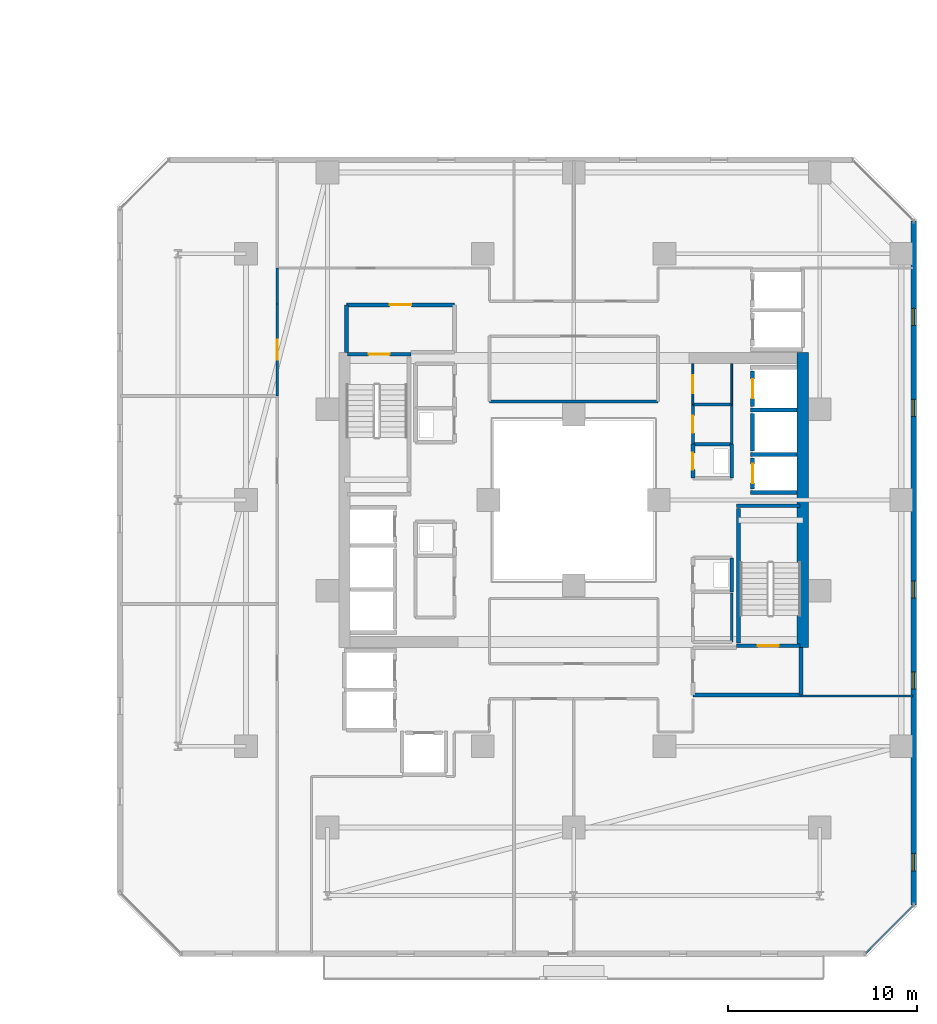
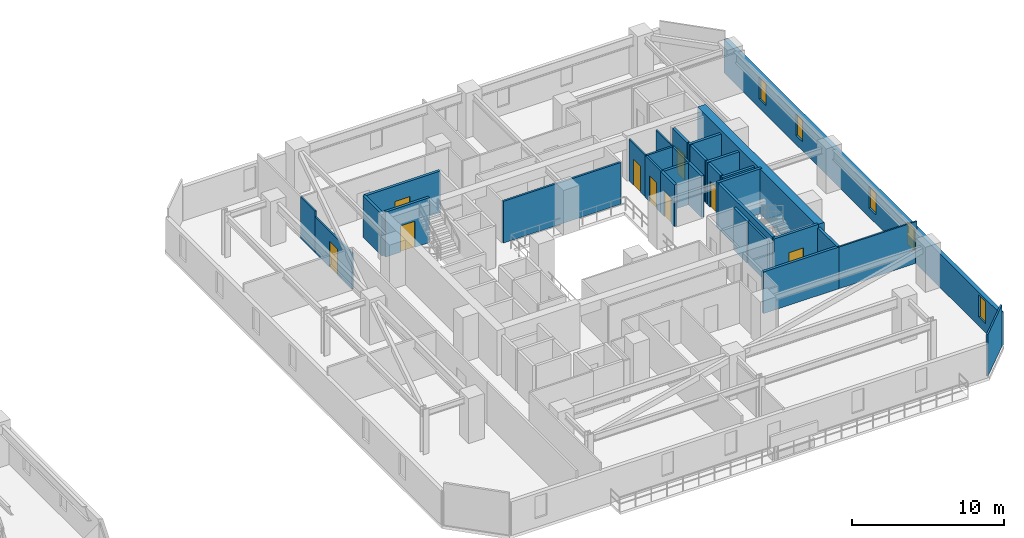
# One storey, part 25 of 33: 31 walls, 9 doors, 5 windows, 14 openings.
"""IFC4 building model written with IfcOpenShell, lengths in metres."""

import ifcopenshell
import ifcopenshell.guid

model = None  # the IFC model being written
_history = None  # IfcOwnerHistory: only IFC2X3 demands one
_inside = {}  # id of a spatial element -> (the spatial element, [elements in it])
_under = {}  # id of a project, library or spatial element -> (it, [spatial elements below it])
_declared = {}  # id of a project -> (the project, [libraries it declares])
_typed = {}  # id of a type object -> (the type object, [elements of that type])
_made_of = {}  # id of a material, layer set ... -> (it, [elements and type objects made of it])


def new_model(schema):
    """Start an empty IFC model of exactly this schema.

    Asked for "IFC4X3", IfcOpenShell would pick the latest addendum, in which some entities
    have other attributes; the version numbers below select the first issue.
    IFC2X3 requires an IfcOwnerHistory on every rooted entity: one is made here for all.
    """
    global model, _history
    if schema == "IFC4X3":
        model = ifcopenshell.file(schema_version=(4, 3, 0, 0))
    else:
        model = ifcopenshell.file(schema=schema)
    _inside.clear()
    _under.clear()
    _declared.clear()
    _typed.clear()
    _made_of.clear()
    _history = None
    if model.schema == "IFC2X3":
        org = make("IfcOrganization", Name="unknown")
        user = make(
            "IfcPersonAndOrganization",
            ThePerson=make("IfcPerson", FamilyName="unknown"),
            TheOrganization=org,
        )
        app = make(
            "IfcApplication",
            ApplicationDeveloper=org,
            Version="unknown",
            ApplicationFullName="unknown",
            ApplicationIdentifier="unknown",
        )
        _history = make(
            "IfcOwnerHistory",
            OwningUser=user,
            OwningApplication=app,
            ChangeAction="ADDED",
            CreationDate=0,
        )
    return model


def make(cls, **values):
    """One entity of the class cls with the attributes given. An attribute that is None is left unset."""
    return model.create_entity(
        cls, **{name: value for name, value in values.items() if value is not None}
    )


def rooted(cls, **values):
    """An entity with a GlobalId (a new one), such as an element, a storey or a relation."""
    return make(cls, GlobalId=ifcopenshell.guid.new(), OwnerHistory=_history, **values)


def si_unit(unit_type, name, prefix=None):
    """IfcSIUnit, for example si_unit("LENGTHUNIT", "METRE", prefix="MILLI")."""
    return make("IfcSIUnit", UnitType=unit_type, Prefix=prefix, Name=name)


def assignment(units):
    """IfcUnitAssignment: the units of a project."""
    return None if units is None else make("IfcUnitAssignment", Units=units)


def point(xyz):
    """IfcCartesianPoint."""
    return None if xyz is None else make("IfcCartesianPoint", Coordinates=xyz)


def direction(xyz):
    """IfcDirection."""
    return None if xyz is None else make("IfcDirection", DirectionRatios=xyz)


def frame(location, z_axis=None, x_axis=None):
    """IfcAxis2Placement3D, a coordinate frame: its origin and axes. An axis left out is left unset."""
    return make(
        "IfcAxis2Placement3D",
        Location=point(location),
        Axis=direction(z_axis),
        RefDirection=direction(x_axis),
    )


def frame_2d(location, x_axis=None):
    """IfcAxis2Placement2D, a coordinate frame in the plane: its origin and x axis."""
    return make(
        "IfcAxis2Placement2D", Location=point(location), RefDirection=direction(x_axis)
    )


def origin():
    """The frame at (0, 0, 0) with its axes left unset."""
    return frame((0.0, 0.0, 0.0))


def place(relative_to, where):
    """IfcLocalPlacement: puts the frame where relative to a parent placement (None: the world)."""
    return make(
        "IfcLocalPlacement", PlacementRelTo=relative_to, RelativePlacement=where
    )


def context(
    kind, dimensions, precision=None, world=None, true_north=None, identifier=None
):
    """IfcGeometricRepresentationContext, for example the 3D "Model" context."""
    return make(
        "IfcGeometricRepresentationContext",
        ContextIdentifier=identifier,
        ContextType=kind,
        CoordinateSpaceDimension=dimensions,
        Precision=precision,
        WorldCoordinateSystem=world,
        TrueNorth=true_north,
    )


def subcontext(parent, identifier, kind, view, scale=None):
    """IfcGeometricRepresentationSubContext, for example "Body" below "Model"."""
    return make(
        "IfcGeometricRepresentationSubContext",
        ContextIdentifier=identifier,
        ContextType=kind,
        ParentContext=parent,
        TargetScale=scale,
        TargetView=view,
    )


def project(units=None, contexts=None):
    """IfcProject with its units and contexts."""
    return rooted(
        "IfcProject",
        Name="project",
        RepresentationContexts=contexts,
        UnitsInContext=assignment(units),
    )


def spatial(cls, under=None, at=None, **own):
    """A site, building, storey or space (cls), placed at a placement, below another one or the project."""
    s = rooted(cls, ObjectPlacement=at, **own)
    if under is not None:
        _under.setdefault(under.id(), (under, []))[1].append(s)
    return s


def profile(cls, at=None, kind="AREA", **sizes):
    """A parametric profile (cls). Its sizes go by their IFC names, for example OverallWidth=200.0."""
    return make(cls, ProfileType=kind, Position=at, **sizes)


def rectangle(**sizes):
    """IfcRectangleProfileDef."""
    return profile("IfcRectangleProfileDef", **sizes)


def extrude(swept, where, along, depth):
    """IfcExtrudedAreaSolid: the profile swept, set in the frame where, extruded along a direction by depth."""
    return make(
        "IfcExtrudedAreaSolid",
        SweptArea=swept,
        Position=where,
        ExtrudedDirection=direction(along),
        Depth=depth,
    )


def shape(context_of_items, identifier, shape_type, items):
    """IfcShapeRepresentation: the items that make up one representation, for example the "Body"."""
    return make(
        "IfcShapeRepresentation",
        ContextOfItems=context_of_items,
        RepresentationIdentifier=identifier,
        RepresentationType=shape_type,
        Items=items,
    )


def material(Name=None, Category=None):
    """IfcMaterial."""
    return make("IfcMaterial", Name=Name, Category=Category)


def layer(
    of_material, thickness, ventilated=None, Name=None, Category=None, Priority=None
):
    """IfcMaterialLayer: one layer of a wall or slab, of a material (None: an air gap)."""
    return make(
        "IfcMaterialLayer",
        Material=of_material,
        LayerThickness=thickness,
        IsVentilated=ventilated,
        Name=Name,
        Category=Category,
        Priority=Priority,
    )


def layer_set(layers, Name=None):
    """IfcMaterialLayerSet."""
    return make("IfcMaterialLayerSet", MaterialLayers=layers, LayerSetName=Name)


def made_of(thing, what):
    """Note that an element or type object is made of a material, layer set ...; save() writes the relation."""
    if what is not None:
        _made_of.setdefault(what.id(), (what, []))[1].append(thing)
    return thing


def type_object(cls, material=None, **own):
    """A type object (cls), such as IfcWallType, which elements share."""
    return made_of(rooted(cls, **own), material)


def element(
    cls,
    number,
    at=None,
    inside=None,
    cuts=None,
    type_object=None,
    material=None,
    context=None,
    identifier="Body",
    shape_type=None,
    held_by="IfcProductDefinitionShape",
    body=None,
    shapes=None,
    **own,
):
    """One element of the class cls, such as IfcWall. Its Tag is "e" and its number.

    at: its placement. inside: the storey or other place that contains it. cuts: it is an
    opening in that element (IfcRelVoidsElement). A single representation is given by context,
    identifier, shape_type and body (its items); several are given by shapes. held_by: the class
    of the entity that holds the representations. save() writes the other relations.
    """
    e = rooted(cls, Tag="e%d" % number, ObjectPlacement=at, **own)
    if body is not None:
        shapes = [shape(context, identifier, shape_type, body)]
    if shapes is not None:
        e.Representation = make(held_by, Representations=shapes)
    if inside is not None:
        _inside.setdefault(inside.id(), (inside, []))[1].append(e)
    if cuts is not None:
        rooted(
            "IfcRelVoidsElement", RelatingBuildingElement=cuts, RelatedOpeningElement=e
        )
    if type_object is not None:
        _typed.setdefault(type_object.id(), (type_object, []))[1].append(e)
    return made_of(e, material)


def fill(opening, filler):
    """IfcRelFillsElement: the door or window that sits in an opening."""
    return rooted(
        "IfcRelFillsElement",
        RelatingOpeningElement=opening,
        RelatedBuildingElement=filler,
    )


def aggregate(whole, parts):
    """IfcRelAggregates: a whole, such as a stair, and the parts it consists of."""
    return rooted("IfcRelAggregates", RelatingObject=whole, RelatedObjects=parts)


def save(model, path):
    """Write the relations noted so far, then the file.

    IfcRelAggregates (storeys below a building ...), IfcRelContainedInSpatialStructure (elements
    in a storey), IfcRelDefinesByType, IfcRelAssociatesMaterial and IfcRelDeclares: one each for
    every whole, place, type object, material and project.
    """
    for whole, parts in _under.values():
        aggregate(whole, parts)
    for where, things in _inside.values():
        rooted(
            "IfcRelContainedInSpatialStructure",
            RelatedElements=things,
            RelatingStructure=where,
        )
    for kind, things in _typed.values():
        rooted("IfcRelDefinesByType", RelatedObjects=things, RelatingType=kind)
    for what, things in _made_of.values():
        rooted("IfcRelAssociatesMaterial", RelatedObjects=things, RelatingMaterial=what)
    for by, libraries in _declared.values():
        rooted("IfcRelDeclares", RelatingContext=by, RelatedDefinitions=libraries)
    model.write(path)


model = new_model("IFC4")

# Units and contexts
model_context = context("Model", 3, precision=1e-05, world=origin(), true_north=direction((0.0, 1.0)))
body_context = subcontext(model_context, "Body", "Model", "MODEL_VIEW")
ifc_project = project(units=[si_unit("LENGTHUNIT", "METRE"), si_unit("AREAUNIT", "SQUARE_METRE"), si_unit("VOLUMEUNIT", "CUBIC_METRE"), si_unit("PLANEANGLEUNIT", "RADIAN"), si_unit("MASSUNIT", "GRAM", prefix="KILO")], contexts=[model_context])

# Site, building, storey
site_placement = place(None, origin())
site = spatial("IfcSite", under=ifc_project, at=site_placement, CompositionType="ELEMENT")
building_placement = place(site_placement, origin())
building = spatial("IfcBuilding", under=site, at=building_placement, Name="Thornwick Lancets Civic Towers", CompositionType="ELEMENT")
storey_placement = place(building_placement, frame((0.0, 0.0, 108.89990234375)))
storey = spatial("IfcBuildingStorey", under=building, at=storey_placement, Name="L28", CompositionType="ELEMENT", Elevation=108.89990234375)

# Wall, opening, door
ifc_material_1 = material(Name="Concrete blockwork C40/50", Category="masonry")
ifc_layer_1 = layer(ifc_material_1, 0.199951171875, Name="Concrete blockwork C40/50")
ifc_layer_set_1 = layer_set([ifc_layer_1], Name="Concrete blockwork C40/50")
wall_type_1 = type_object("IfcWallType", Name="WALL_COMP_200", PredefinedType="STANDARD", material=ifc_layer_set_1)
wall_1_placement = place(storey_placement, frame((97.949951171875, 29.219970703125, 0.0), z_axis=(0.0, 0.0, 1.0), x_axis=(0.0, -1.0, 0.0)))
wall_1 = element("IfcWall", 1, at=wall_1_placement, inside=storey, type_object=wall_type_1, Name="L28 Hoistway Front Wall FL-B1", PredefinedType="STANDARD", context=body_context, shape_type="SweptSolid", body=[
    extrude(rectangle(XDim=1.639892578125, YDim=0.199951171875, at=frame_2d((0.81982421875, 0.0))), origin(), (0.0, 0.0, 1.0), 3.340087890625),
])
opening_1_placement = place(wall_1_placement, frame((0.31005859375, 0.0, 0.0)))
opening_1 = element("IfcOpeningElement", 2, at=opening_1_placement, cuts=wall_1, Name="Opening LD-FL-B1", PredefinedType="OPENING", context=body_context, shape_type="SweptSolid", body=[
    extrude(rectangle(XDim=1.02001953125, YDim=2.06005859375, at=frame_2d((0.510009765625, 1.030029296875))), frame((0.0, 0.10986328125, 0.0), z_axis=(0.0, -1.0, 0.0), x_axis=(1.0, 0.0, 0.0)), (0.0, 0.0, 1.0), 0.219970703125),
])
ifc_material_2 = material(Name="Brushed bronze stainless steel", Category="steel")
door_type_1 = type_object("IfcDoorType", Name="DOOR_LIFT_SLIDE", OperationType="SLIDING_TO_LEFT", PredefinedType="DOOR", material=ifc_material_2)
door_1_placement = place(opening_1_placement, origin())
door_1 = element("IfcDoor", 3, at=door_1_placement, inside=storey, type_object=door_type_1, Name="L28 Sliding Lift Landing Door LD-FL-B1", OperationType="SLIDING_TO_LEFT", OverallHeight=2.06005859375, OverallWidth=1.02001953125, PredefinedType="DOOR", context=body_context, shape_type="SweptSolid", body=[
    extrude(rectangle(XDim=1.02001953125, YDim=2.06005859375, at=frame_2d((0.510009765625, 1.030029296875))), frame((0.0, 0.02490234375, 0.0), z_axis=(0.0, -1.0, 0.0), x_axis=(1.0, 0.0, 0.0)), (0.0, 0.0, 1.0), 0.050048828125),
])
fill(opening_1, door_1)

# Wall
wall_2_placement = place(storey_placement, frame((97.949951171875, 31.570068359375, 0.0), z_axis=(0.0, 0.0, 1.0), x_axis=(0.0, -1.0, 0.0)))
element("IfcWall", 4, at=wall_2_placement, inside=storey, type_object=wall_type_1, Name="L28 Hoistway Front Wall PL-BH1", PredefinedType="STANDARD", context=body_context, shape_type="SweptSolid", body=[
    extrude(rectangle(XDim=1.989990234375, YDim=0.199951171875, at=frame_2d((0.9951171875, 0.0))), origin(), (0.0, 0.0, 1.0), 3.340087890625),
])

# Wall, opening, door
wall_3_placement = place(storey_placement, frame((97.949951171875, 33.820068359375, 0.0), z_axis=(0.0, 0.0, 1.0), x_axis=(0.0, -1.0, 0.0)))
wall_3 = element("IfcWall", 5, at=wall_3_placement, inside=storey, type_object=wall_type_1, Name="L28 Hoistway Front Wall PL-BL1", PredefinedType="STANDARD", context=body_context, shape_type="SweptSolid", body=[
    extrude(rectangle(XDim=1.89013671875, YDim=0.199951171875, at=frame_2d((0.945068359375, 0.0))), origin(), (0.0, 0.0, 1.0), 3.340087890625),
])
opening_2_placement = place(wall_3_placement, frame((0.43505859375, 0.0, 0.0)))
opening_2 = element("IfcOpeningElement", 6, at=opening_2_placement, cuts=wall_3, Name="Opening LD-PL-BL1", PredefinedType="OPENING", context=body_context, shape_type="SweptSolid", body=[
    extrude(rectangle(XDim=1.02001953125, YDim=2.06005859375, at=frame_2d((0.510009765625, 1.030029296875))), frame((0.0, 0.10986328125, 0.0), z_axis=(0.0, -1.0, 0.0), x_axis=(1.0, 0.0, 0.0)), (0.0, 0.0, 1.0), 0.219970703125),
])
door_2_placement = place(opening_2_placement, origin())
door_2 = element("IfcDoor", 7, at=door_2_placement, inside=storey, type_object=door_type_1, Name="L28 Sliding Lift Landing Door LD-PL-BL1", OperationType="SLIDING_TO_LEFT", OverallHeight=2.06005859375, OverallWidth=1.02001953125, PredefinedType="DOOR", context=body_context, shape_type="SweptSolid", body=[
    extrude(rectangle(XDim=1.02001953125, YDim=2.06005859375, at=frame_2d((0.510009765625, 1.030029296875))), frame((0.0, 0.02490234375, 0.0), z_axis=(0.0, -1.0, 0.0), x_axis=(1.0, 0.0, 0.0)), (0.0, 0.0, 1.0), 0.050048828125),
])
fill(opening_2, door_2)

# Walls
for number, where, z_axis, x_axis, name in (
    (8, (97.85205078125, 29.39990234375, 0.0), (0.0, 0.0, 1.0), (1.0, 0.0, 0.0), "L28 Hoistway Shaft Wall FL-B1 N"),
    (9, (97.85205078125, 27.39990234375, 0.0), (0.0, 0.0, 1.0), (1.0, 0.0, 0.0), "L28 Hoistway Shaft Wall FL-B1 S"),
    (10, (97.85205078125, 31.75, 0.0), (0.0, 0.0, 1.0), (1.0, 0.0, 0.0), "L28 Hoistway Shaft Wall PL-BH1 N"),
):
    element("IfcWall", number, at=place(storey_placement, frame(where, z_axis=z_axis, x_axis=x_axis)), inside=storey, type_object=wall_type_1, Name=name, PredefinedType="STANDARD", context=body_context, shape_type="SweptSolid", body=[
        extrude(rectangle(XDim=2.43603515625, YDim=0.199951171875, at=frame_2d((1.218017578125, 0.0))), origin(), (0.0, 0.0, 1.0), 3.340087890625),
    ])
wall_4_placement = place(storey_placement, frame((94.800048828125, 16.699951171875, 0.0), z_axis=(0.0, 0.0, 1.0), x_axis=(1.0, 0.0, 0.0)))
element("IfcWall", 11, at=wall_4_placement, inside=storey, type_object=wall_type_1, Name="L28 Partition L28-B-FFLOB1 E1", PredefinedType="STANDARD", context=body_context, shape_type="SweptSolid", body=[
    extrude(rectangle(XDim=5.699951171875, YDim=0.199951171875, at=frame_2d((2.85009765625, 0.0))), origin(), (0.0, 0.0, 1.0), 3.340087890625),
])
wall_5_placement = place(storey_placement, frame((100.5, 16.699951171875, 0.0), z_axis=(0.0, 0.0, 1.0), x_axis=(0.0, 1.0, 0.0)))
element("IfcWall", 12, at=wall_5_placement, inside=storey, type_object=wall_type_1, Name="L28 Partition L28-B-FFLOB1 E2", PredefinedType="STANDARD", context=body_context, shape_type="SweptSolid", body=[
    extrude(rectangle(XDim=2.5, YDim=0.199951171875, at=frame_2d((1.25, 0.0))), origin(), (0.0, 0.0, 1.0), 3.340087890625),
])

# Wall, opening, door
wall_6_placement = place(storey_placement, frame((82.199951171875, 37.300048828125, 0.0), z_axis=(0.0, 0.0, 1.0), x_axis=(-1.0, 0.0, 0.0)))
wall_6 = element("IfcWall", 13, at=wall_6_placement, inside=storey, type_object=wall_type_1, Name="L28 Partition L28-B-FFLOB2 E3", PredefinedType="STANDARD", context=body_context, shape_type="SweptSolid", body=[
    extrude(rectangle(XDim=5.699951171875, YDim=0.199951171875, at=frame_2d((2.85009765625, 0.0))), origin(), (0.0, 0.0, 1.0), 3.340087890625),
])
opening_3_placement = place(wall_6_placement, frame((2.27490234375, 0.0, 0.0)))
opening_3 = element("IfcOpeningElement", 14, at=opening_3_placement, cuts=wall_6, Name="Opening D-L28-1285", PredefinedType="OPENING", context=body_context, shape_type="SweptSolid", body=[
    extrude(rectangle(XDim=1.14990234375, YDim=2.10009765625, at=frame_2d((0.574951171875, 1.050048828125))), frame((0.0, 0.10986328125, 0.0), z_axis=(0.0, -1.0, 0.0), x_axis=(1.0, 0.0, 0.0)), (0.0, 0.0, 1.0), 0.219970703125),
])
ifc_material_3 = material(Name="Glazed fire-resisting steel", Category="steel")
door_type_2 = type_object("IfcDoorType", Name="DOOR_LOBBY_FD60", OperationType="NOTDEFINED", PredefinedType="DOOR", material=ifc_material_3)
door_3_placement = place(opening_3_placement, origin())
door_3 = element("IfcDoor", 15, at=door_3_placement, inside=storey, type_object=door_type_2, Name="L28 West Firefighting Lobby 2 Door", OperationType="SINGLE_SWING_RIGHT", OverallHeight=2.10009765625, OverallWidth=1.14990234375, PredefinedType="DOOR", context=body_context, shape_type="SweptSolid", body=[
    extrude(rectangle(XDim=1.14990234375, YDim=2.10009765625, at=frame_2d((0.574951171875, 1.050048828125))), frame((0.0, 0.02490234375, 0.0), z_axis=(0.0, -1.0, 0.0), x_axis=(1.0, 0.0, 0.0)), (0.0, 0.0, 1.0), 0.050048828125),
])
fill(opening_3, door_3)

# Walls
wall_7_placement = place(storey_placement, frame((76.5, 37.300048828125, 0.0), z_axis=(0.0, 0.0, 1.0), x_axis=(0.0, -1.0, 0.0)))
element("IfcWall", 16, at=wall_7_placement, inside=storey, type_object=wall_type_1, Name="L28 Partition L28-B-FFLOB2 E4", PredefinedType="STANDARD", context=body_context, shape_type="SweptSolid", body=[
    extrude(rectangle(XDim=2.5, YDim=0.199951171875, at=frame_2d((1.25, 0.0))), origin(), (0.0, 0.0, 1.0), 3.340087890625),
])
wall_8_placement = place(storey_placement, frame((96.85009765625, 28.14990234375, 0.0), z_axis=(0.0, 0.0, 1.0), x_axis=(0.0, 1.0, 0.0)))
element("IfcWall", 17, at=wall_8_placement, inside=storey, type_object=wall_type_1, Name="L28 Partition L28-B-DUCT1 E2", PredefinedType="STANDARD", context=body_context, shape_type="SweptSolid", body=[
    extrude(rectangle(XDim=1.800048828125, YDim=0.199951171875, at=frame_2d((0.89990234375, 0.0))), origin(), (0.0, 0.0, 1.0), 3.340087890625),
])
wall_9_placement = place(storey_placement, frame((96.85009765625, 29.949951171875, 0.0), z_axis=(0.0, 0.0, 1.0), x_axis=(-1.0, 0.0, 0.0)))
element("IfcWall", 18, at=wall_9_placement, inside=storey, type_object=wall_type_1, Name="L28 Partition L28-B-DUCT1 E3", PredefinedType="STANDARD", context=body_context, shape_type="SweptSolid", body=[
    extrude(rectangle(XDim=2.050048828125, YDim=0.199951171875, at=frame_2d((1.02490234375, 0.0))), origin(), (0.0, 0.0, 1.0), 3.340087890625),
])

# Wall, opening, door
wall_10_placement = place(storey_placement, frame((94.800048828125, 29.949951171875, 0.0), z_axis=(0.0, 0.0, 1.0), x_axis=(0.0, -1.0, 0.0)))
wall_10 = element("IfcWall", 19, at=wall_10_placement, inside=storey, type_object=wall_type_1, Name="L28 Partition L28-B-DUCT1 E4", PredefinedType="STANDARD", context=body_context, shape_type="SweptSolid", body=[
    extrude(rectangle(XDim=1.800048828125, YDim=0.199951171875, at=frame_2d((0.89990234375, 0.0))), origin(), (0.0, 0.0, 1.0), 3.340087890625),
])
opening_4_placement = place(wall_10_placement, frame((0.4599609375, 0.0, 0.0)))
opening_4 = element("IfcOpeningElement", 20, at=opening_4_placement, cuts=wall_10, Name="Opening D-L28-1286", PredefinedType="OPENING", context=body_context, shape_type="SweptSolid", body=[
    extrude(rectangle(XDim=0.8798828125, YDim=2.0400390625, at=frame_2d((0.43994140625, 1.02001953125))), frame((0.0, 0.10986328125, 0.0), z_axis=(0.0, -1.0, 0.0), x_axis=(1.0, 0.0, 0.0)), (0.0, 0.0, 1.0), 0.219970703125),
])
ifc_material_4 = material(Name="Steel riser access doorset", Category="steel")
door_type_3 = type_object("IfcDoorType", Name="DOOR_RISER_850", OperationType="NOTDEFINED", PredefinedType="DOOR", material=ifc_material_4)
door_4_placement = place(opening_4_placement, origin())
door_4 = element("IfcDoor", 21, at=door_4_placement, inside=storey, type_object=door_type_3, Name="L28 East Service Duct 1 Door", OperationType="SINGLE_SWING_LEFT", OverallHeight=2.0400390625, OverallWidth=0.8798828125, PredefinedType="DOOR", context=body_context, shape_type="SweptSolid", body=[
    extrude(rectangle(XDim=0.8798828125, YDim=2.0400390625, at=frame_2d((0.43994140625, 1.02001953125))), frame((0.0, 0.02490234375, 0.0), z_axis=(0.0, -1.0, 0.0), x_axis=(1.0, 0.0, 0.0)), (0.0, 0.0, 1.0), 0.050048828125),
])
fill(opening_4, door_4)

# Walls
wall_11_placement = place(storey_placement, frame((96.85009765625, 22.14990234375, 0.0), z_axis=(0.0, 0.0, 1.0), x_axis=(0.0, 1.0, 0.0)))
element("IfcWall", 22, at=wall_11_placement, inside=storey, type_object=wall_type_1, Name="L28 Partition L28-B-RISER1 E2", PredefinedType="STANDARD", context=body_context, shape_type="SweptSolid", body=[
    extrude(rectangle(XDim=1.800048828125, YDim=0.199951171875, at=frame_2d((0.89990234375, 0.0))), origin(), (0.0, 0.0, 1.0), 3.340087890625),
])
ifc_material_5 = material(Name="Concrete C60/75", Category="concrete")
ifc_layer_2 = layer(ifc_material_5, 0.60009765625, Name="Concrete C60/75")
ifc_layer_set_2 = layer_set([ifc_layer_2], Name="Concrete C60/75")
wall_type_2 = type_object("IfcWallType", Name="WALL_CORE_600", PredefinedType="SHEAR", material=ifc_layer_set_2)
wall_12_placement = place(storey_placement, frame((100.60009765625, 19.199951171875, 0.0), z_axis=(0.0, 0.0, 1.0), x_axis=(0.0, 1.0, 0.0)))
element("IfcWall", 23, at=wall_12_placement, inside=storey, type_object=wall_type_2, Name="L28 Split Core B1 Shear Wall E", PredefinedType="SHEAR", context=body_context, shape_type="SweptSolid", body=[
    extrude(rectangle(XDim=15.60009765625, YDim=0.60009765625, at=frame_2d((7.800048828125, 0.0))), origin(), (0.0, 0.0, 1.0), 3.60009765625),
])

# Wall, openings, windows
ifc_material_6 = material(Name="Insulated russet terracotta rainscreen on concrete C40/50", Category="masonry")
ifc_layer_3 = layer(ifc_material_6, 0.300048828125, Name="Insulated russet terracotta rainscreen on concrete C40/50")
ifc_layer_set_3 = layer_set([ifc_layer_3], Name="Insulated russet terracotta rainscreen on concrete C40/50")
wall_type_3 = type_object("IfcWallType", Name="WALL_EXT_RUSSET_300", PredefinedType="STANDARD", material=ifc_layer_set_3)
wall_13_placement = place(storey_placement, frame((106.464599609375, 5.61865234375, 0.0), z_axis=(0.0, 0.0, 1.0), x_axis=(-5.4088042e-05, 0.999999998537, 0.0)))
wall_13 = element("IfcWall", 24, at=wall_13_placement, inside=storey, type_object=wall_type_3, Name="L28 Tower B Terracotta Facade Wall E2", PredefinedType="STANDARD", context=body_context, shape_type="SweptSolid", body=[
    extrude(rectangle(XDim=36.110107421875, YDim=0.300048828125, at=frame_2d((18.05517578125, 0.0))), origin(), (0.0, 0.0, 1.0), 2.7001953125),
])
opening_5_placement = place(wall_13_placement, frame((1.800048828125, 0.0, 0.719970703125)))
opening_5 = element("IfcOpeningElement", 25, at=opening_5_placement, cuts=wall_13, Name="Opening WL-01", PredefinedType="OPENING", context=body_context, shape_type="SweptSolid", body=[
    extrude(rectangle(XDim=0.89990234375, YDim=1.75, at=frame_2d((0.449951171875, 0.875))), frame((0.0, 0.16015625, 0.0), z_axis=(0.0, -1.0, 0.0), x_axis=(1.0, 0.0, 0.0)), (0.0, 0.0, 1.0), 0.320068359375),
])
opening_6_placement = place(wall_13_placement, frame((11.39990234375, 0.0, 0.719970703125)))
opening_6 = element("IfcOpeningElement", 26, at=opening_6_placement, cuts=wall_13, Name="Opening WL-01", PredefinedType="OPENING", context=body_context, shape_type="SweptSolid", body=[
    extrude(rectangle(XDim=0.89990234375, YDim=1.75, at=frame_2d((0.449951171875, 0.875))), frame((0.0, 0.16015625, 0.0), z_axis=(0.0, -1.0, 0.0), x_axis=(1.0, 0.0, 0.0)), (0.0, 0.0, 1.0), 0.320068359375),
])
opening_7_placement = place(wall_13_placement, frame((16.199951171875, 0.0, 0.719970703125)))
opening_7 = element("IfcOpeningElement", 27, at=opening_7_placement, cuts=wall_13, Name="Opening WL-01", PredefinedType="OPENING", context=body_context, shape_type="SweptSolid", body=[
    extrude(rectangle(XDim=0.89990234375, YDim=1.75, at=frame_2d((0.449951171875, 0.875))), frame((0.0, 0.16015625, 0.0), z_axis=(0.0, -1.0, 0.0), x_axis=(1.0, 0.0, 0.0)), (0.0, 0.0, 1.0), 0.320068359375),
])
opening_8_placement = place(wall_13_placement, frame((25.800048828125, 0.0, 0.719970703125)))
opening_8 = element("IfcOpeningElement", 28, at=opening_8_placement, cuts=wall_13, Name="Opening WL-01", PredefinedType="OPENING", context=body_context, shape_type="SweptSolid", body=[
    extrude(rectangle(XDim=0.89990234375, YDim=1.75, at=frame_2d((0.449951171875, 0.875))), frame((0.0, 0.16015625, 0.0), z_axis=(0.0, -1.0, 0.0), x_axis=(1.0, 0.0, 0.0)), (0.0, 0.0, 1.0), 0.320068359375),
])
opening_9_placement = place(wall_13_placement, frame((30.60009765625, 0.0, 0.719970703125)))
opening_9 = element("IfcOpeningElement", 29, at=opening_9_placement, cuts=wall_13, Name="Opening WL-01", PredefinedType="OPENING", context=body_context, shape_type="SweptSolid", body=[
    extrude(rectangle(XDim=0.89990234375, YDim=1.75, at=frame_2d((0.449951171875, 0.875))), frame((0.0, 0.16015625, 0.0), z_axis=(0.0, -1.0, 0.0), x_axis=(1.0, 0.0, 0.0)), (0.0, 0.0, 1.0), 0.320068359375),
])
ifc_material_7 = material(Name="Clear low-e double glazing in bronze frame", Category="glass")
window_type = type_object("IfcWindowType", Name="WIN_LANCET_900", PartitioningType="SINGLE_PANEL", PredefinedType="WINDOW", material=ifc_material_7)
window_1_placement = place(opening_5_placement, origin())
window_1 = element("IfcWindow", 30, at=window_1_placement, inside=storey, type_object=window_type, Name="L28 Tower B Staggered Lancet Window E2-1", OverallHeight=1.75, OverallWidth=0.89990234375, PartitioningType="SINGLE_PANEL", PredefinedType="WINDOW", context=body_context, shape_type="SweptSolid", body=[
    extrude(rectangle(XDim=0.89990234375, YDim=1.75, at=frame_2d((0.449951171875, 0.875))), frame((0.0, 0.030029296875, 0.0), z_axis=(0.0, -1.0, 0.0), x_axis=(1.0, 0.0, 0.0)), (0.0, 0.0, 1.0), 0.06005859375),
])
fill(opening_5, window_1)
window_2_placement = place(opening_6_placement, origin())
window_2 = element("IfcWindow", 31, at=window_2_placement, inside=storey, type_object=window_type, Name="L28 Tower B Staggered Lancet Window E2-2", OverallHeight=1.75, OverallWidth=0.89990234375, PartitioningType="SINGLE_PANEL", PredefinedType="WINDOW", context=body_context, shape_type="SweptSolid", body=[
    extrude(rectangle(XDim=0.89990234375, YDim=1.75, at=frame_2d((0.449951171875, 0.875))), frame((0.0, 0.030029296875, 0.0), z_axis=(0.0, -1.0, 0.0), x_axis=(1.0, 0.0, 0.0)), (0.0, 0.0, 1.0), 0.06005859375),
])
fill(opening_6, window_2)
window_3_placement = place(opening_7_placement, origin())
window_3 = element("IfcWindow", 32, at=window_3_placement, inside=storey, type_object=window_type, Name="L28 Tower B Staggered Lancet Window E2-3", OverallHeight=1.75, OverallWidth=0.89990234375, PartitioningType="SINGLE_PANEL", PredefinedType="WINDOW", context=body_context, shape_type="SweptSolid", body=[
    extrude(rectangle(XDim=0.89990234375, YDim=1.75, at=frame_2d((0.449951171875, 0.875))), frame((0.0, 0.030029296875, 0.0), z_axis=(0.0, -1.0, 0.0), x_axis=(1.0, 0.0, 0.0)), (0.0, 0.0, 1.0), 0.06005859375),
])
fill(opening_7, window_3)
window_4_placement = place(opening_8_placement, origin())
window_4 = element("IfcWindow", 33, at=window_4_placement, inside=storey, type_object=window_type, Name="L28 Tower B Staggered Lancet Window E2-4", OverallHeight=1.75, OverallWidth=0.89990234375, PartitioningType="SINGLE_PANEL", PredefinedType="WINDOW", context=body_context, shape_type="SweptSolid", body=[
    extrude(rectangle(XDim=0.89990234375, YDim=1.75, at=frame_2d((0.449951171875, 0.875))), frame((0.0, 0.030029296875, 0.0), z_axis=(0.0, -1.0, 0.0), x_axis=(1.0, 0.0, 0.0)), (0.0, 0.0, 1.0), 0.06005859375),
])
fill(opening_8, window_4)
window_5_placement = place(opening_9_placement, origin())
window_5 = element("IfcWindow", 34, at=window_5_placement, inside=storey, type_object=window_type, Name="L28 Tower B Staggered Lancet Window E2-5", OverallHeight=1.75, OverallWidth=0.89990234375, PartitioningType="SINGLE_PANEL", PredefinedType="WINDOW", context=body_context, shape_type="SweptSolid", body=[
    extrude(rectangle(XDim=0.89990234375, YDim=1.75, at=frame_2d((0.449951171875, 0.875))), frame((0.0, 0.030029296875, 0.0), z_axis=(0.0, -1.0, 0.0), x_axis=(1.0, 0.0, 0.0)), (0.0, 0.0, 1.0), 0.06005859375),
])
fill(opening_9, window_5)

# Wall, opening, door
ifc_material_8 = material(Name="Lightweight cellular office partition")
ifc_layer_4 = layer(ifc_material_8, 0.10009765625, Name="Lightweight cellular office partition")
ifc_layer_set_4 = layer_set([ifc_layer_4], Name="Lightweight cellular office partition")
wall_type_4 = type_object("IfcWallType", Name="WALL_PART_100", PredefinedType="PARTITIONING", material=ifc_layer_set_4)
wall_14_placement = place(storey_placement, frame((94.800048828125, 32.050048828125, 0.0), z_axis=(0.0, 0.0, 1.0), x_axis=(0.0, 1.0, 0.0)))
wall_14 = element("IfcWall", 35, at=wall_14_placement, inside=storey, type_object=wall_type_4, Name="L28 Partition L28-B-CLN E1", PredefinedType="PARTITIONING", context=body_context, shape_type="SweptSolid", body=[
    extrude(rectangle(XDim=2.14990234375, YDim=0.10009765625, at=frame_2d((1.074951171875, 0.0))), origin(), (0.0, 0.0, 1.0), 3.340087890625),
])
opening_10_placement = place(wall_14_placement, frame((0.60009765625, 0.0, 0.0)))
opening_10 = element("IfcOpeningElement", 36, at=opening_10_placement, cuts=wall_14, Name="Opening D-L28-1292", PredefinedType="OPENING", context=body_context, shape_type="SweptSolid", body=[
    extrude(rectangle(XDim=0.949951171875, YDim=2.10009765625, at=frame_2d((0.47509765625, 1.050048828125))), frame((0.0, 0.06005859375, 0.0), z_axis=(0.0, -1.0, 0.0), x_axis=(1.0, 0.0, 0.0)), (0.0, 0.0, 1.0), 0.1201171875),
])
ifc_material_9 = material(Name="European oak acoustic doorset")
door_type_4 = type_object("IfcDoorType", Name="DOOR_OFFICE_950", OperationType="NOTDEFINED", PredefinedType="DOOR", material=ifc_material_9)
door_5_placement = place(opening_10_placement, origin())
door_5 = element("IfcDoor", 37, at=door_5_placement, inside=storey, type_object=door_type_4, Name="L28 Tower B Cleaners Store Door", OperationType="SINGLE_SWING_LEFT", OverallHeight=2.10009765625, OverallWidth=0.949951171875, PredefinedType="DOOR", context=body_context, shape_type="SweptSolid", body=[
    extrude(rectangle(XDim=0.949951171875, YDim=2.10009765625, at=frame_2d((0.47509765625, 1.050048828125))), frame((0.0, 0.02490234375, 0.0), z_axis=(0.0, -1.0, 0.0), x_axis=(1.0, 0.0, 0.0)), (0.0, 0.0, 1.0), 0.050048828125),
])
fill(opening_10, door_5)

# Walls
wall_15_placement = place(storey_placement, frame((96.85009765625, 34.199951171875, 0.0), z_axis=(0.0, 0.0, 1.0), x_axis=(0.0, -1.0, 0.0)))
element("IfcWall", 38, at=wall_15_placement, inside=storey, type_object=wall_type_4, Name="L28 Partition L28-B-CLN E3", PredefinedType="PARTITIONING", context=body_context, shape_type="SweptSolid", body=[
    extrude(rectangle(XDim=2.14990234375, YDim=0.10009765625, at=frame_2d((1.074951171875, 0.0))), origin(), (0.0, 0.0, 1.0), 3.340087890625),
])
ifc_material_10 = material(Name="Acoustic gypsum board partition")
ifc_layer_5 = layer(ifc_material_10, 0.1201171875, Name="Acoustic gypsum board partition")
ifc_layer_set_5 = layer_set([ifc_layer_5], Name="Acoustic gypsum board partition")
wall_type_5 = type_object("IfcWallType", Name="WALL_PART_120", PredefinedType="PARTITIONING", material=ifc_layer_set_5)
wall_16_placement = place(storey_placement, frame((100.5, 16.64990234375, 0.0), z_axis=(0.0, 0.0, 1.0), x_axis=(1.0, 0.0, 0.0)))
element("IfcWall", 39, at=wall_16_placement, inside=storey, type_object=wall_type_5, Name="L28 Partition L28-B-W1 E5", PredefinedType="PARTITIONING", context=body_context, shape_type="SweptSolid", body=[
    extrude(rectangle(XDim=5.919921875, YDim=0.1201171875, at=frame_2d((2.9599609375, 0.0))), origin(), (0.0, 0.0, 1.0), 3.340087890625),
])
wall_17_placement = place(storey_placement, frame((106.419921875, 5.57470703125, 0.0), z_axis=(0.0, 0.0, 1.0), x_axis=(-0.707106781187, -0.707106781187, 0.0)))
element("IfcWall", 40, at=wall_17_placement, inside=storey, type_object=wall_type_5, Name="L28 Partition L28-B-W1 E7", PredefinedType="PARTITIONING", context=body_context, shape_type="SweptSolid", body=[
    extrude(rectangle(XDim=3.52783203125, YDim=0.1201171875, at=frame_2d((1.763916015625, 0.0))), origin(), (0.0, 0.0, 1.0), 3.340087890625),
])
wall_18_placement = place(storey_placement, frame((72.85009765625, 39.25, 0.0), z_axis=(0.0, 0.0, 1.0), x_axis=(0.0, -1.0, 0.0)))
element("IfcWall", 41, at=wall_18_placement, inside=storey, type_object=wall_type_5, Name="L28 Partition L28-B-N-OFF E5", PredefinedType="PARTITIONING", context=body_context, shape_type="SweptSolid", body=[
    extrude(rectangle(XDim=1.89990234375, YDim=0.1201171875, at=frame_2d((0.949951171875, 0.0))), origin(), (0.0, 0.0, 1.0), 3.340087890625),
])

# Wall, opening, door
wall_19_placement = place(storey_placement, frame((72.85009765625, 37.35009765625, 0.0), z_axis=(0.0, 0.0, 1.0), x_axis=(0.0, -1.0, 0.0)))
wall_19 = element("IfcWall", 42, at=wall_19_placement, inside=storey, type_object=wall_type_5, Name="L28 Partition L28-B-N-OFF E6", PredefinedType="PARTITIONING", context=body_context, shape_type="SweptSolid", body=[
    extrude(rectangle(XDim=4.85009765625, YDim=0.1201171875, at=frame_2d((2.425048828125, 0.0))), origin(), (0.0, 0.0, 1.0), 2.89501953125),
])
opening_11_placement = place(wall_19_placement, frame((1.89990234375, 0.0, 0.0)))
opening_11 = element("IfcOpeningElement", 43, at=opening_11_placement, cuts=wall_19, Name="Opening D-L28-1316", PredefinedType="OPENING", context=body_context, shape_type="SweptSolid", body=[
    extrude(rectangle(XDim=1.050048828125, YDim=2.10009765625, at=frame_2d((0.52490234375, 1.050048828125))), frame((0.0, 0.070068359375, 0.0), z_axis=(0.0, -1.0, 0.0), x_axis=(1.0, 0.0, 0.0)), (0.0, 0.0, 1.0), 0.14013671875),
])
ifc_material_11 = material(Name="Glazed European oak executive doorset")
door_type_5 = type_object("IfcDoorType", Name="DOOR_OFFICE_1050", OperationType="NOTDEFINED", PredefinedType="DOOR", material=ifc_material_11)
door_6_placement = place(opening_11_placement, origin())
door_6 = element("IfcDoor", 44, at=door_6_placement, inside=storey, type_object=door_type_5, Name="L28 Tower B North-East Policy Office Door", OperationType="SINGLE_SWING_LEFT", OverallHeight=2.10009765625, OverallWidth=1.050048828125, PredefinedType="DOOR", context=body_context, shape_type="SweptSolid", body=[
    extrude(rectangle(XDim=1.050048828125, YDim=2.10009765625, at=frame_2d((0.52490234375, 1.050048828125))), frame((0.0, 0.02490234375, 0.0), z_axis=(0.0, -1.0, 0.0), x_axis=(1.0, 0.0, 0.0)), (0.0, 0.0, 1.0), 0.050048828125),
])
fill(opening_11, door_6)

# Wall
ifc_material_12 = material(Name="Twin-stud acoustic gypsum board")
ifc_layer_6 = layer(ifc_material_12, 0.14990234375, Name="Twin-stud acoustic gypsum board")
ifc_layer_set_6 = layer_set([ifc_layer_6], Name="Twin-stud acoustic gypsum board")
wall_type_6 = type_object("IfcWallType", Name="WALL_PART_150", PredefinedType="PARTITIONING", material=ifc_layer_set_6)
wall_20_placement = place(storey_placement, frame((96.85009765625, 19.5, 0.0), z_axis=(0.0, 0.0, 1.0), x_axis=(0.0, 1.0, 0.0)))
element("IfcWall", 45, at=wall_20_placement, inside=storey, type_object=wall_type_6, Name="L28 Partition L28-B-AWC E2", PredefinedType="PARTITIONING", context=body_context, shape_type="SweptSolid", body=[
    extrude(rectangle(XDim=2.60009765625, YDim=0.14990234375, at=frame_2d((1.300048828125, 0.0))), origin(), (0.0, 0.0, 1.0), 3.340087890625),
])

# Wall, opening, door
wall_21_placement = place(storey_placement, frame((94.800048828125, 29.949951171875, 0.0), z_axis=(0.0, 0.0, 1.0), x_axis=(0.0, 1.0, 0.0)))
wall_21 = element("IfcWall", 46, at=wall_21_placement, inside=storey, type_object=wall_type_6, Name="L28 Partition L28-B-MWC E1", PredefinedType="PARTITIONING", context=body_context, shape_type="SweptSolid", body=[
    extrude(rectangle(XDim=2.10009765625, YDim=0.14990234375, at=frame_2d((1.050048828125, 0.0))), origin(), (0.0, 0.0, 1.0), 3.340087890625),
])
opening_12_placement = place(wall_21_placement, frame((0.590087890625, 0.0, 0.0)))
opening_12 = element("IfcOpeningElement", 47, at=opening_12_placement, cuts=wall_21, Name="Opening D-L28-1291", PredefinedType="OPENING", context=body_context, shape_type="SweptSolid", body=[
    extrude(rectangle(XDim=0.919921875, YDim=2.080078125, at=frame_2d((0.4599609375, 1.0400390625))), frame((0.0, 0.0849609375, 0.0), z_axis=(0.0, -1.0, 0.0), x_axis=(1.0, 0.0, 0.0)), (0.0, 0.0, 1.0), 0.169921875),
])
ifc_material_13 = material(Name="Moisture-resistant oak doorset")
door_type_6 = type_object("IfcDoorType", Name="DOOR_WC_900", OperationType="NOTDEFINED", PredefinedType="DOOR", material=ifc_material_13)
door_7_placement = place(opening_12_placement, origin())
door_7 = element("IfcDoor", 48, at=door_7_placement, inside=storey, type_object=door_type_6, Name="L28 Tower B Male WC Door", OperationType="SINGLE_SWING_RIGHT", OverallHeight=2.080078125, OverallWidth=0.919921875, PredefinedType="DOOR", context=body_context, shape_type="SweptSolid", body=[
    extrude(rectangle(XDim=0.919921875, YDim=2.080078125, at=frame_2d((0.4599609375, 1.0400390625))), frame((0.0, 0.02490234375, 0.0), z_axis=(0.0, -1.0, 0.0), x_axis=(1.0, 0.0, 0.0)), (0.0, 0.0, 1.0), 0.050048828125),
])
fill(opening_12, door_7)

# Walls
wall_22_placement = place(storey_placement, frame((94.800048828125, 32.050048828125, 0.0), z_axis=(0.0, 0.0, 1.0), x_axis=(1.0, 0.0, 0.0)))
element("IfcWall", 49, at=wall_22_placement, inside=storey, type_object=wall_type_6, Name="L28 Partition L28-B-MWC E2", PredefinedType="PARTITIONING", context=body_context, shape_type="SweptSolid", body=[
    extrude(rectangle(XDim=2.050048828125, YDim=0.14990234375, at=frame_2d((1.02490234375, 0.0))), origin(), (0.0, 0.0, 1.0), 3.340087890625),
])
wall_23_placement = place(storey_placement, frame((96.85009765625, 32.050048828125, 0.0), z_axis=(0.0, 0.0, 1.0), x_axis=(0.0, -1.0, 0.0)))
element("IfcWall", 50, at=wall_23_placement, inside=storey, type_object=wall_type_6, Name="L28 Partition L28-B-MWC E3", PredefinedType="PARTITIONING", context=body_context, shape_type="SweptSolid", body=[
    extrude(rectangle(XDim=2.10009765625, YDim=0.14990234375, at=frame_2d((1.050048828125, 0.0))), origin(), (0.0, 0.0, 1.0), 3.340087890625),
])
wall_24_placement = place(storey_placement, frame((92.949951171875, 32.199951171875, 0.0), z_axis=(0.0, 0.0, 1.0), x_axis=(-1.0, 0.0, 0.0)))
element("IfcWall", 51, at=wall_24_placement, inside=storey, type_object=wall_type_6, Name="L28 Partition L28-B-ATR-E E4", PredefinedType="PARTITIONING", context=body_context, shape_type="SweptSolid", body=[
    extrude(rectangle(XDim=8.89990234375, YDim=0.14990234375, at=frame_2d((4.449951171875, 0.0))), origin(), (0.0, 0.0, 1.0), 3.340087890625),
])

# Wall, opening, door
ifc_material_14 = material(Name="Concrete C40/50", Category="concrete")
ifc_layer_7 = layer(ifc_material_14, 0.199951171875, Name="Concrete C40/50")
ifc_layer_set_7 = layer_set([ifc_layer_7], Name="Concrete C40/50")
wall_type_7 = type_object("IfcWallType", Name="WALL_SHAFT_200", PredefinedType="SHEAR", material=ifc_layer_set_7)
wall_25_placement = place(storey_placement, frame((100.449951171875, 19.300048828125, 0.0), z_axis=(0.0, 0.0, 1.0), x_axis=(-1.0, 0.0, 0.0)))
wall_25 = element("IfcWall", 52, at=wall_25_placement, inside=storey, type_object=wall_type_7, Name="L28 ST-B1 Fire Stair Core Wall NEAR", PredefinedType="SHEAR", context=body_context, shape_type="SweptSolid", body=[
    extrude(rectangle(XDim=3.349853515625, YDim=0.199951171875, at=frame_2d((1.6748046875, 0.0))), origin(), (0.0, 0.0, 1.0), 3.60009765625),
])
opening_13_placement = place(wall_25_placement, frame((1.125, 0.0, 0.0)))
opening_13 = element("IfcOpeningElement", 53, at=opening_13_placement, cuts=wall_25, Name="Opening D-ST-B1-L28", PredefinedType="OPENING", context=body_context, shape_type="SweptSolid", body=[
    extrude(rectangle(XDim=1.10009765625, YDim=2.10009765625, at=frame_2d((0.550048828125, 1.050048828125))), frame((0.0, 0.10986328125, 0.0), z_axis=(0.0, -1.0, 0.0), x_axis=(1.0, 0.0, 0.0)), (0.0, 0.0, 1.0), 0.219970703125),
])
ifc_material_15 = material(Name="Fire-resisting steel and hardwood", Category="steel")
door_type_7 = type_object("IfcDoorType", Name="DOOR_STAIR_FD60", OperationType="NOTDEFINED", PredefinedType="DOOR", material=ifc_material_15)
door_8_placement = place(opening_13_placement, origin())
door_8 = element("IfcDoor", 54, at=door_8_placement, inside=storey, type_object=door_type_7, Name="L28 ST-B1 Exit Stair Door", OperationType="SINGLE_SWING_RIGHT", OverallHeight=2.10009765625, OverallWidth=1.10009765625, PredefinedType="DOOR", context=body_context, shape_type="SweptSolid", body=[
    extrude(rectangle(XDim=1.10009765625, YDim=2.10009765625, at=frame_2d((0.550048828125, 1.050048828125))), frame((0.0, 0.02490234375, 0.0), z_axis=(0.0, -1.0, 0.0), x_axis=(1.0, 0.0, 0.0)), (0.0, 0.0, 1.0), 0.050048828125),
])
fill(opening_13, door_8)

# Walls
wall_26_placement = place(storey_placement, frame((97.10009765625, 26.699951171875, 0.0), z_axis=(0.0, 0.0, 1.0), x_axis=(1.0, 0.0, 0.0)))
element("IfcWall", 55, at=wall_26_placement, inside=storey, type_object=wall_type_7, Name="L28 ST-B1 Fire Stair Core Wall FAR", PredefinedType="SHEAR", context=body_context, shape_type="SweptSolid", body=[
    extrude(rectangle(XDim=3.349853515625, YDim=0.199951171875, at=frame_2d((1.6748046875, 0.0))), origin(), (0.0, 0.0, 1.0), 3.60009765625),
])
wall_27_placement = place(storey_placement, frame((97.202880859375, 26.550048828125, 0.0), z_axis=(0.0, 0.0, 1.0), x_axis=(0.0, -1.0, 0.0)))
element("IfcWall", 56, at=wall_27_placement, inside=storey, type_object=wall_type_7, Name="L28 ST-B1 Fire Stair Core Wall RIGHT", PredefinedType="SHEAR", context=body_context, shape_type="SweptSolid", body=[
    extrude(rectangle(XDim=7.10009765625, YDim=0.199951171875, at=frame_2d((3.550048828125, 0.0))), origin(), (0.0, 0.0, 1.0), 3.60009765625),
])

# Wall, opening, door
wall_28_placement = place(storey_placement, frame((76.550048828125, 34.699951171875, 0.0), z_axis=(0.0, 0.0, 1.0), x_axis=(1.0, 0.0, 0.0)))
wall_28 = element("IfcWall", 57, at=wall_28_placement, inside=storey, type_object=wall_type_7, Name="L28 ST-B2 Fire Stair Core Wall NEAR", PredefinedType="SHEAR", context=body_context, shape_type="SweptSolid", body=[
    extrude(rectangle(XDim=3.349853515625, YDim=0.199951171875, at=frame_2d((1.6748046875, 0.0))), origin(), (0.0, 0.0, 1.0), 3.60009765625),
])
opening_14_placement = place(wall_28_placement, frame((1.125, 0.0, 0.0)))
opening_14 = element("IfcOpeningElement", 58, at=opening_14_placement, cuts=wall_28, Name="Opening D-ST-B2-L28", PredefinedType="OPENING", context=body_context, shape_type="SweptSolid", body=[
    extrude(rectangle(XDim=1.10009765625, YDim=2.10009765625, at=frame_2d((0.550048828125, 1.050048828125))), frame((0.0, 0.10986328125, 0.0), z_axis=(0.0, -1.0, 0.0), x_axis=(1.0, 0.0, 0.0)), (0.0, 0.0, 1.0), 0.219970703125),
])
door_9_placement = place(opening_14_placement, origin())
door_9 = element("IfcDoor", 59, at=door_9_placement, inside=storey, type_object=door_type_7, Name="L28 ST-B2 Exit Stair Door", OperationType="SINGLE_SWING_LEFT", OverallHeight=2.10009765625, OverallWidth=1.10009765625, PredefinedType="DOOR", context=body_context, shape_type="SweptSolid", body=[
    extrude(rectangle(XDim=1.10009765625, YDim=2.10009765625, at=frame_2d((0.550048828125, 1.050048828125))), frame((0.0, 0.02490234375, 0.0), z_axis=(0.0, -1.0, 0.0), x_axis=(1.0, 0.0, 0.0)), (0.0, 0.0, 1.0), 0.050048828125),
])
fill(opening_14, door_9)

save(model, "model.ifc")
